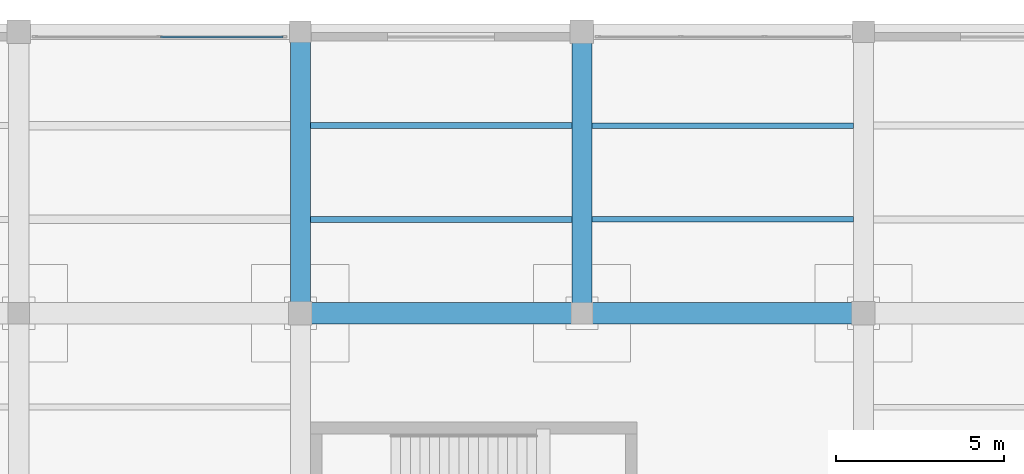
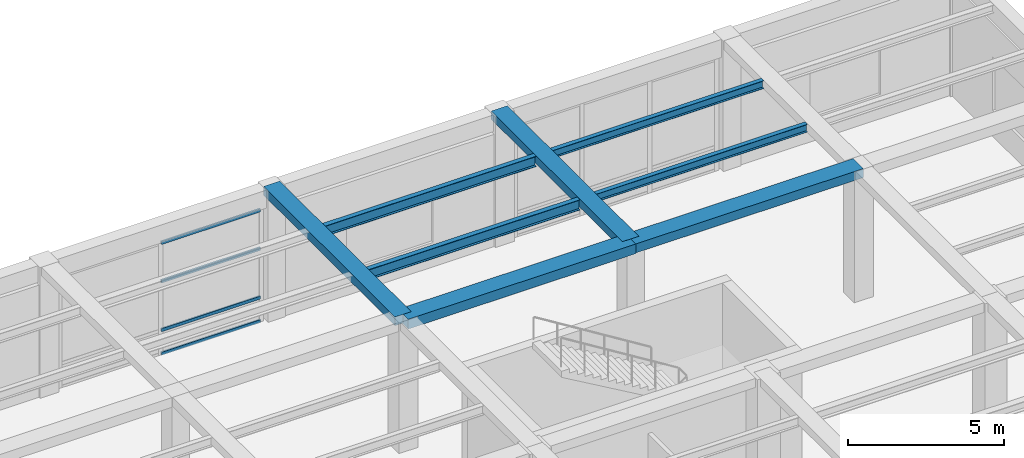
# One storey, part 62 of 95: 8 beams, 4 members, 1 element without a shape of its own.
"""IFC4 building model written with IfcOpenShell, lengths in metres."""

from ifc_helpers import new_model, si_unit, direction, frame, origin, origin_2d, place, context, subcontext, project, spatial, rectangle, hollow_rectangle, i_section, extrude, material, material_profile, profile_set, type_object, element, aggregate, save


model = new_model("IFC4")

# Units and contexts
model_context = context("Model", 3, precision=1e-05, world=origin(), true_north=direction((0.0, 1.0)))
body_context = subcontext(model_context, "Body", "Model", "MODEL_VIEW")
ifc_project = project(units=[si_unit("LENGTHUNIT", "METRE"), si_unit("AREAUNIT", "SQUARE_METRE"), si_unit("VOLUMEUNIT", "CUBIC_METRE"), si_unit("PLANEANGLEUNIT", "RADIAN"), si_unit("MASSUNIT", "GRAM", prefix="KILO")], contexts=[model_context])

# Site, building, storey
site_placement = place(None, origin())
site = spatial("IfcSite", under=ifc_project, at=site_placement, CompositionType="ELEMENT")
building_placement = place(site_placement, origin())
building = spatial("IfcBuilding", under=site, at=building_placement, Name="Almacenes y Pasaje Nevantli", CompositionType="ELEMENT")
storey_placement = place(building_placement, frame((0.0, 0.0, 11.39990234375)))
storey = spatial("IfcBuildingStorey", under=building, at=storey_placement, Name="L03", CompositionType="ELEMENT", Elevation=11.39990234375)

# Beams
ifc_material_1 = material(Name="Concrete C35/45", Category="concrete")
ifc_material_profile_1 = material_profile(ifc_material_1, rectangle(XDim=0.60009765625, YDim=0.320068359375, at=origin_2d()), Name="RC-BM-600x320")
ifc_profile_set_1 = profile_set([ifc_material_profile_1], Name="Concrete C35/45")
beam_type_1 = type_object("IfcBeamType", Name="BM-RC-600x320", PredefinedType="BEAM", material=ifc_profile_set_1)
beam_1_placement = place(storey_placement, frame((151.199951171875, 109.199951171875, 4.940185546875), z_axis=(0.0, 1.0, 0.0), x_axis=(-1.0, 0.0, 0.0)))
element("IfcBeam", 1, at=beam_1_placement, inside=storey, type_object=beam_type_1, Name="L03 North-South Reinforced Concrete Beam #2687", PredefinedType="BEAM", context=body_context, shape_type="SweptSolid", body=[
    extrude(rectangle(XDim=0.60009765625, YDim=0.320068359375, at=origin_2d()), origin(), (0.0, 0.0, 1.0), 8.400146484375),
])
ifc_material_2 = material(Name="Concrete C35/45", Category="concrete")
ifc_material_profile_2 = material_profile(ifc_material_2, rectangle(XDim=0.60009765625, YDim=0.340087890625, at=origin_2d()), Name="RC-BM-600x340")
ifc_profile_set_2 = profile_set([ifc_material_profile_2], Name="Concrete C35/45")
beam_type_2 = type_object("IfcBeamType", Name="BM-RC-600x340", PredefinedType="BEAM", material=ifc_profile_set_2)
beam_2_placement = place(storey_placement, frame((142.800048828125, 109.199951171875, 4.93017578125), z_axis=(0.0, 1.0, 0.0), x_axis=(-1.0, 0.0, 0.0)))
element("IfcBeam", 2, at=beam_2_placement, inside=storey, type_object=beam_type_2, Name="L03 North-South Reinforced Concrete Beam #2674", PredefinedType="BEAM", context=body_context, shape_type="SweptSolid", body=[
    extrude(rectangle(XDim=0.60009765625, YDim=0.340087890625, at=origin_2d()), origin(), (0.0, 0.0, 1.0), 8.400146484375),
])
ifc_material_3 = material(Name="Concrete C35/45", Category="concrete")
ifc_material_profile_3 = material_profile(ifc_material_3, rectangle(XDim=0.64990234375, YDim=0.35009765625, at=origin_2d()), Name="RC-BM-650x350")
ifc_profile_set_3 = profile_set([ifc_material_profile_3], Name="Concrete C35/45")
beam_type_3 = type_object("IfcBeamType", Name="BM-RC-650x350", PredefinedType="BEAM", material=ifc_profile_set_3)
beam_3_placement = place(storey_placement, frame((151.199951171875, 109.199951171875, 4.925048828125), z_axis=(1.0, 0.0, 0.0), x_axis=(0.0, 1.0, 0.0)))
element("IfcBeam", 3, at=beam_3_placement, inside=storey, type_object=beam_type_3, Name="L03 East-West Reinforced Concrete Beam #2458", PredefinedType="BEAM", context=body_context, shape_type="SweptSolid", body=[
    extrude(rectangle(XDim=0.64990234375, YDim=0.35009765625, at=origin_2d()), origin(), (0.0, 0.0, 1.0), 8.400146484375),
])
ifc_material_4 = material(Name="Concrete C35/45", Category="concrete")
ifc_material_profile_4 = material_profile(ifc_material_4, rectangle(XDim=0.64990234375, YDim=0.3798828125, at=origin_2d()), Name="RC-BM-650x380")
ifc_profile_set_4 = profile_set([ifc_material_profile_4], Name="Concrete C35/45")
beam_type_4 = type_object("IfcBeamType", Name="BM-RC-650x380", PredefinedType="BEAM", material=ifc_profile_set_4)
beam_4_placement = place(storey_placement, frame((142.800048828125, 109.199951171875, 4.91015625), z_axis=(1.0, 0.0, 0.0), x_axis=(0.0, 1.0, 0.0)))
element("IfcBeam", 4, at=beam_4_placement, inside=storey, type_object=beam_type_4, Name="L03 East-West Reinforced Concrete Beam #2457", PredefinedType="BEAM", context=body_context, shape_type="SweptSolid", body=[
    extrude(rectangle(XDim=0.64990234375, YDim=0.3798828125, at=origin_2d()), origin(), (0.0, 0.0, 1.0), 8.39990234375),
])
ifc_material_5 = material(Name="Steel ASTM A992", Category="steel")
ifc_material_profile_5 = material_profile(ifc_material_5, i_section(OverallWidth=0.1650390625, OverallDepth=0.306884765625, WebThickness=0.006591796875, FlangeThickness=0.01025390625, at=origin_2d()), Name="IR 305x44.6")
ifc_profile_set_5 = profile_set([ifc_material_profile_5], Name="Steel ASTM A992")
beam_type_5 = type_object("IfcBeamType", Name="BM-STL-IR-305x44p6", PredefinedType="JOIST", material=ifc_profile_set_5)
for number, where, z_axis, x_axis, name in (
    (5, (151.5, 112.0, 4.9384765625), (1.0, 0.0, 0.0), (0.0, 1.0, 0.0), "L03 Secondary Steel Floor Joist #985"),
    (6, (151.5, 114.800048828125, 4.9384765625), (1.0, 0.0, 0.0), (0.0, 1.0, 0.0), "L03 Secondary Steel Floor Joist #986"),
):
    element("IfcBeam", number, at=place(storey_placement, frame(where, z_axis=z_axis, x_axis=x_axis)), inside=storey, type_object=beam_type_5, Name=name, PredefinedType="JOIST", context=body_context, shape_type="SweptSolid", body=[
        extrude(i_section(OverallWidth=0.1650390625, OverallDepth=0.306884765625, WebThickness=0.006591796875, FlangeThickness=0.01025390625, at=origin_2d()), origin(), (0.0, 0.0, 1.0), 7.800048828125),
    ])
ifc_material_6 = material(Name="Steel ASTM A992", Category="steel")
ifc_material_profile_6 = material_profile(ifc_material_6, i_section(OverallWidth=0.178955078125, OverallDepth=0.406005859375, WebThickness=0.0087890625, FlangeThickness=0.014404296875, at=origin_2d()), Name="IR 406x67.0")
ifc_profile_set_6 = profile_set([ifc_material_profile_6], Name="Steel ASTM A992")
beam_type_6 = type_object("IfcBeamType", Name="BM-STL-IR-406x67p0", PredefinedType="JOIST", material=ifc_profile_set_6)
for number, where, z_axis, x_axis, name in (
    (7, (143.10009765625, 112.0, 4.88916015625), (1.0, 0.0, 0.0), (0.0, 1.0, 0.0), "L03 Secondary Steel Floor Joist #959"),
    (8, (143.10009765625, 114.800048828125, 4.88916015625), (1.0, 0.0, 0.0), (0.0, 1.0, 0.0), "L03 Secondary Steel Floor Joist #960"),
):
    element("IfcBeam", number, at=place(storey_placement, frame(where, z_axis=z_axis, x_axis=x_axis)), inside=storey, type_object=beam_type_6, Name=name, PredefinedType="JOIST", context=body_context, shape_type="SweptSolid", body=[
        extrude(i_section(OverallWidth=0.178955078125, OverallDepth=0.406005859375, WebThickness=0.0087890625, FlangeThickness=0.014404296875, at=origin_2d()), origin(), (0.0, 0.0, 1.0), 7.7998046875),
    ])

# Curtain wall, members
ifc_material_7 = material(Name="Thermally Broken Aluminium and Low-E Glass", Category="aluminium")
curtain_wall_type = type_object("IfcCurtainWallType", Name="CW-STF-BLVD", PredefinedType="USERDEFINED", material=ifc_material_7)
curtain_wall_placement = place(storey_placement, origin())
curtain_wall = element("IfcCurtainWall", 9, at=curtain_wall_placement, inside=storey, type_object=curtain_wall_type, Name="L03 North Boulevard Retail Curtain Wall Bay 17", ObjectType="STOREFRONT GLAZING", PredefinedType="USERDEFINED")
ifc_material_8 = material(Name="Thermally Broken Anodized Aluminium", Category="aluminium")
ifc_material_profile_7 = material_profile(ifc_material_8, hollow_rectangle(XDim=0.06005859375, YDim=0.1201171875, WallThickness=0.00341796875, at=origin_2d()), Name="ALU-TRN-60x120")
ifc_profile_set_7 = profile_set([ifc_material_profile_7], Name="Thermally Broken Anodized Aluminium")
member_type = type_object("IfcMemberType", Name="CW-TRN-130", PredefinedType="USERDEFINED", material=ifc_profile_set_7)
member_1_placement = place(storey_placement, frame((138.6298828125, 117.449951171875, 0.030029296875), z_axis=(1.0, 0.0, 0.0), x_axis=(0.0, 1.0, 0.0)))
member_1 = element("IfcMember", 10, at=member_1_placement, type_object=member_type, Name="CW-L03-043 transom 2.1", ObjectType="TRANSOM", PredefinedType="USERDEFINED", context=body_context, shape_type="SweptSolid", body=[
    extrude(hollow_rectangle(XDim=0.06005859375, YDim=0.1201171875, WallThickness=0.00341796875, at=origin_2d()), origin(), (0.0, 0.0, 1.0), 3.66015625),
])
member_2_placement = place(storey_placement, frame((138.6298828125, 117.449951171875, 0.9501953125), z_axis=(1.0, 0.0, 0.0), x_axis=(0.0, 1.0, 0.0)))
member_2 = element("IfcMember", 11, at=member_2_placement, type_object=member_type, Name="CW-L03-043 transom 2.2", ObjectType="TRANSOM", PredefinedType="USERDEFINED", context=body_context, shape_type="SweptSolid", body=[
    extrude(hollow_rectangle(XDim=0.06005859375, YDim=0.1201171875, WallThickness=0.00341796875, at=origin_2d()), origin(), (0.0, 0.0, 1.0), 3.66015625),
])
member_3_placement = place(storey_placement, frame((138.6298828125, 117.449951171875, 2.85009765625), z_axis=(1.0, 0.0, 0.0), x_axis=(0.0, 1.0, 0.0)))
member_3 = element("IfcMember", 12, at=member_3_placement, type_object=member_type, Name="CW-L03-043 transom 2.3", ObjectType="TRANSOM", PredefinedType="USERDEFINED", context=body_context, shape_type="SweptSolid", body=[
    extrude(hollow_rectangle(XDim=0.06005859375, YDim=0.1201171875, WallThickness=0.00341796875, at=origin_2d()), origin(), (0.0, 0.0, 1.0), 3.66015625),
])
member_4_placement = place(storey_placement, frame((138.6298828125, 117.449951171875, 4.35009765625), z_axis=(1.0, 0.0, 0.0), x_axis=(0.0, 1.0, 0.0)))
member_4 = element("IfcMember", 13, at=member_4_placement, type_object=member_type, Name="CW-L03-043 transom 2.4", ObjectType="TRANSOM", PredefinedType="USERDEFINED", context=body_context, shape_type="SweptSolid", body=[
    extrude(hollow_rectangle(XDim=0.06005859375, YDim=0.1201171875, WallThickness=0.00341796875, at=origin_2d()), origin(), (0.0, 0.0, 1.0), 3.66015625),
])
aggregate(curtain_wall, [member_1, member_2, member_3, member_4])

save(model, "model.ifc")
